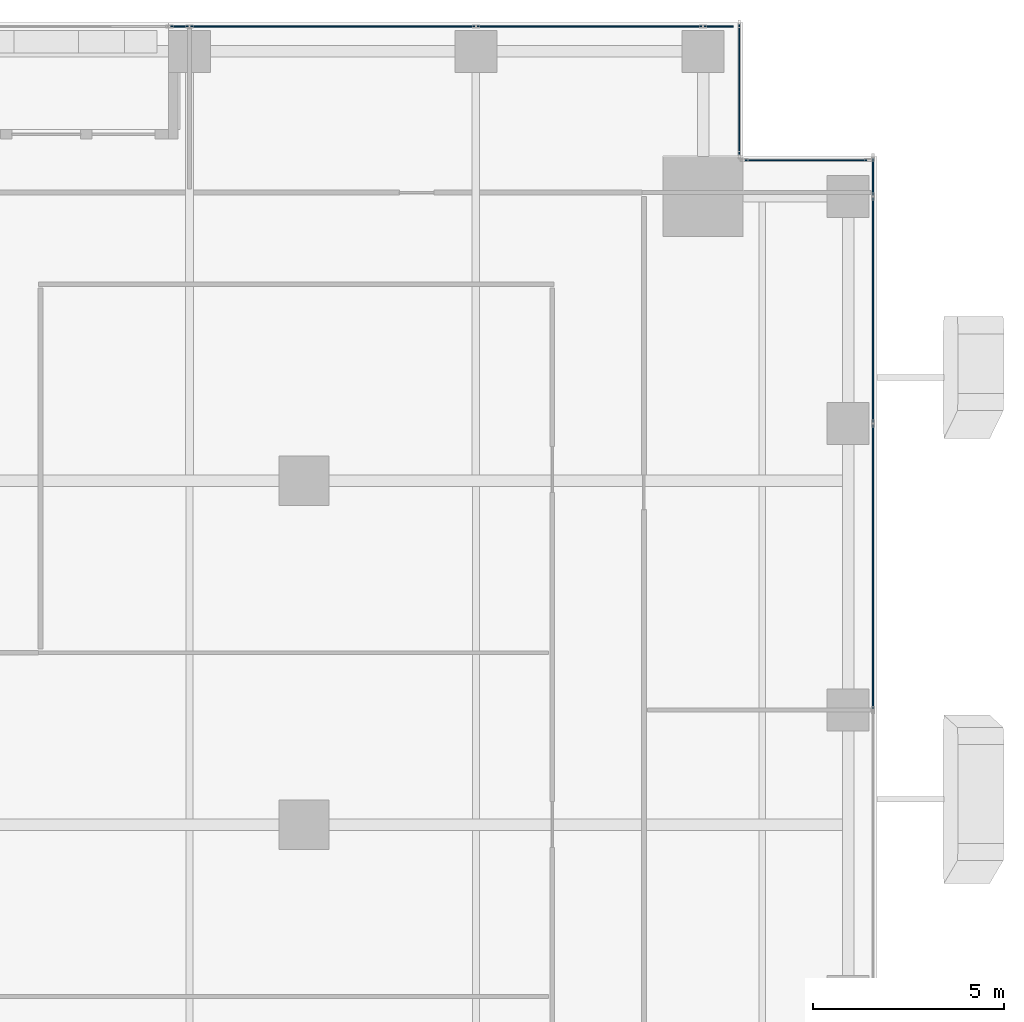
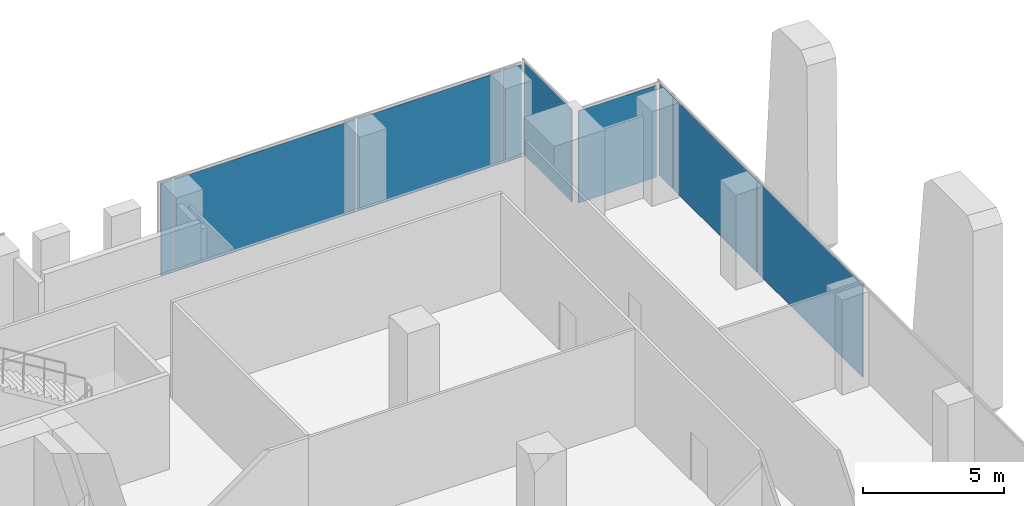
# One storey, part 27 of 35: 9 plates, 4 elements without a shape of their own.
"""IFC4 building model written with IfcOpenShell, lengths in metres."""

from ifc_helpers import new_model, si_unit, direction, frame, origin, origin_2d, place, context, subcontext, project, spatial, rectangle, extrude, source, transform, mapped, material, layer, layer_set, type_object, element, aggregate, save


model = new_model("IFC4")

# Units and contexts
model_context = context("Model", 3, precision=1e-05, world=origin(), true_north=direction((0.0, 1.0)))
body_context = subcontext(model_context, "Body", "Model", "MODEL_VIEW")
ifc_project = project(units=[si_unit("LENGTHUNIT", "METRE"), si_unit("AREAUNIT", "SQUARE_METRE"), si_unit("VOLUMEUNIT", "CUBIC_METRE"), si_unit("PLANEANGLEUNIT", "RADIAN"), si_unit("MASSUNIT", "GRAM", prefix="KILO")], contexts=[model_context])

# Site, building, storey
site_placement = place(None, origin())
site = spatial("IfcSite", under=ifc_project, at=site_placement, CompositionType="ELEMENT")
building_placement = place(site_placement, origin())
building = spatial("IfcBuilding", under=site, at=building_placement, Name="Khomas Fold Tower", CompositionType="ELEMENT")
storey_placement = place(building_placement, frame((0.0, 0.0, 119.10009765625)))
storey = spatial("IfcBuildingStorey", under=building, at=storey_placement, Name="L25", CompositionType="ELEMENT", Elevation=119.10009765625)

# Curtain wall, plate
ifc_material_1 = material(Name="Aluminium framed double glazing", Category="aluminium")
curtain_wall_type = type_object("IfcCurtainWallType", Name="SK-Unitised clear-glass wall, growing floors CW1", PredefinedType="NOTDEFINED", material=ifc_material_1)
curtain_wall_1_placement = place(storey_placement, origin())
curtain_wall_1 = element("IfcCurtainWall", 1, at=curtain_wall_1_placement, inside=storey, type_object=curtain_wall_type, Name="CW1 run L25 06-0", PredefinedType="NOTDEFINED")
ifc_material_2 = material(Name="Clear double glazed unit")
ifc_layer = layer(ifc_material_2, 0.031982421875)
ifc_layer_set = layer_set([ifc_layer], Name="Clear double glazed unit")
plate_type = type_object("IfcPlateType", Name="SK-Unitised clear-glass wall, growing floors glass panel CW1-P", PredefinedType="CURTAIN_PANEL", material=ifc_layer_set)
shared_shape_1 = source(origin(), body_context, "Body", "SweptSolid", [
    extrude(rectangle(XDim=0.760009765625, YDim=0.031982421875, at=origin_2d()), origin(), (0.0, 0.0, 1.0), 3.97998046875),
])
plate_1_placement = place(storey_placement, frame((48.360107421875, 52.39990234375, 0.0), z_axis=(0.0, 0.0, 1.0), x_axis=(-1.0, 0.0, 0.0)))
plate_1 = element("IfcPlate", 2, at=plate_1_placement, type_object=plate_type, Name="CW1 glass panel 1", PredefinedType="CURTAIN_PANEL", context=body_context, shape_type="MappedRepresentation", body=[
    mapped(shared_shape_1, transform((0.0, 0.0, 0.0))),
])

curtain_wall_2_placement = place(storey_placement, origin())
curtain_wall_2 = element("IfcCurtainWall", 3, at=curtain_wall_2_placement, inside=storey, type_object=curtain_wall_type, Name="CW1 run L25 03-0", PredefinedType="NOTDEFINED")
shared_shape_2 = source(origin(), body_context, "Body", "SweptSolid", [
    extrude(rectangle(XDim=5.889892578125, YDim=0.031982421875, at=origin_2d()), origin(), (0.0, 0.0, 1.0), 3.97998046875),
])
plate_2_placement = place(storey_placement, frame((52.39990234375, 44.97509765625, 0.0), z_axis=(0.0, 0.0, 1.0), x_axis=(0.0, 1.0, 0.0)))
plate_2 = element("IfcPlate", 4, at=plate_2_placement, type_object=plate_type, Name="CW1 glass panel 7", PredefinedType="CURTAIN_PANEL", context=body_context, shape_type="MappedRepresentation", body=[
    mapped(shared_shape_2, transform((0.0, 0.0, 0.0))),
])

# Plate
plate_3_placement = place(storey_placement, frame((44.97509765625, 52.39990234375, 0.0), z_axis=(0.0, 0.0, 1.0), x_axis=(-1.0, 0.0, 0.0)))
plate_3 = element("IfcPlate", 5, at=plate_3_placement, type_object=plate_type, Name="CW1 glass panel 2", PredefinedType="CURTAIN_PANEL", context=body_context, shape_type="MappedRepresentation", body=[
    mapped(shared_shape_2, transform((0.0, 0.0, 0.0))),
])

shared_shape_3 = source(origin(), body_context, "Body", "SweptSolid", [
    extrude(rectangle(XDim=7.43994140625, YDim=0.031982421875, at=origin_2d()), origin(), (0.0, 0.0, 1.0), 3.97998046875),
])
plate_4_placement = place(storey_placement, frame((52.39990234375, 38.25, 0.0), z_axis=(0.0, 0.0, 1.0), x_axis=(0.0, 1.0, 0.0)))
plate_4 = element("IfcPlate", 6, at=plate_4_placement, type_object=plate_type, Name="CW1 glass panel 6", PredefinedType="CURTAIN_PANEL", context=body_context, shape_type="MappedRepresentation", body=[
    mapped(shared_shape_3, transform((0.0, 0.0, 0.0))),
])

plate_5_placement = place(storey_placement, frame((38.25, 52.39990234375, 0.0), z_axis=(0.0, 0.0, 1.0), x_axis=(-1.0, 0.0, 0.0)))
plate_5 = element("IfcPlate", 7, at=plate_5_placement, type_object=plate_type, Name="CW1 glass panel 3", PredefinedType="CURTAIN_PANEL", context=body_context, shape_type="MappedRepresentation", body=[
    mapped(shared_shape_3, transform((0.0, 0.0, 0.0))),
])

shared_shape_4 = source(origin(), body_context, "Body", "SweptSolid", [
    extrude(rectangle(XDim=0.9599609375, YDim=0.031982421875, at=origin_2d()), origin(), (0.0, 0.0, 1.0), 3.97998046875),
])
plate_6_placement = place(storey_placement, frame((52.39990234375, 48.4599609375, 0.0), z_axis=(0.0, 0.0, 1.0), x_axis=(0.0, 1.0, 0.0)))
plate_6 = element("IfcPlate", 8, at=plate_6_placement, type_object=plate_type, Name="CW1 glass panel 8", PredefinedType="CURTAIN_PANEL", context=body_context, shape_type="MappedRepresentation", body=[
    mapped(shared_shape_4, transform((0.0, 0.0, 0.0))),
])

aggregate(curtain_wall_2, [plate_4, plate_2, plate_6])

# Curtain wall, plate
curtain_wall_3_placement = place(storey_placement, origin())
curtain_wall_3 = element("IfcCurtainWall", 9, at=curtain_wall_3_placement, inside=storey, type_object=curtain_wall_type, Name="CW1 corner return L25 04", PredefinedType="NOTDEFINED")
shared_shape_5 = source(origin(), body_context, "Body", "SweptSolid", [
    extrude(rectangle(XDim=3.179931640625, YDim=0.031982421875, at=origin_2d()), origin(), (0.0, 0.0, 1.0), 3.97998046875),
])
plate_7_placement = place(storey_placement, frame((50.64990234375, 48.89990234375, 0.0), z_axis=(0.0, 0.0, 1.0), x_axis=(-1.0, 0.0, 0.0)))
plate_7 = element("IfcPlate", 10, at=plate_7_placement, type_object=plate_type, Name="CW1 glass panel 1", PredefinedType="CURTAIN_PANEL", context=body_context, shape_type="MappedRepresentation", body=[
    mapped(shared_shape_5, transform((0.0, 0.0, 0.0))),
])
aggregate(curtain_wall_3, [plate_7])

curtain_wall_4_placement = place(storey_placement, origin())
curtain_wall_4 = element("IfcCurtainWall", 11, at=curtain_wall_4_placement, inside=storey, type_object=curtain_wall_type, Name="CW1 corner return L25 05", PredefinedType="NOTDEFINED")
shared_shape_6 = source(origin(), body_context, "Body", "SweptSolid", [
    extrude(rectangle(XDim=3.3798828125, YDim=0.031982421875, at=origin_2d()), origin(), (0.0, 0.0, 1.0), 3.97998046875),
])
plate_8_placement = place(storey_placement, frame((48.89990234375, 50.75, 0.0), z_axis=(0.0, 0.0, 1.0), x_axis=(0.0, 1.0, 0.0)))
plate_8 = element("IfcPlate", 12, at=plate_8_placement, type_object=plate_type, Name="CW1 glass panel 1", PredefinedType="CURTAIN_PANEL", context=body_context, shape_type="MappedRepresentation", body=[
    mapped(shared_shape_6, transform((0.0, 0.0, 0.0))),
])
aggregate(curtain_wall_4, [plate_8])

# Plate
shared_shape_7 = source(origin(), body_context, "Body", "SweptSolid", [
    extrude(rectangle(XDim=0.4599609375, YDim=0.031982421875, at=origin_2d()), origin(), (0.0, 0.0, 1.0), 3.97998046875),
])
plate_9_placement = place(storey_placement, frame((34.239990234375, 52.39990234375, 0.0), z_axis=(0.0, 0.0, 1.0), x_axis=(-1.0, 0.0, 0.0)))
plate_9 = element("IfcPlate", 13, at=plate_9_placement, type_object=plate_type, Name="CW1 glass panel 4", PredefinedType="CURTAIN_PANEL", context=body_context, shape_type="MappedRepresentation", body=[
    mapped(shared_shape_7, transform((0.0, 0.0, 0.0))),
])

aggregate(curtain_wall_1, [plate_1, plate_3, plate_5, plate_9])

save(model, "model.ifc")
